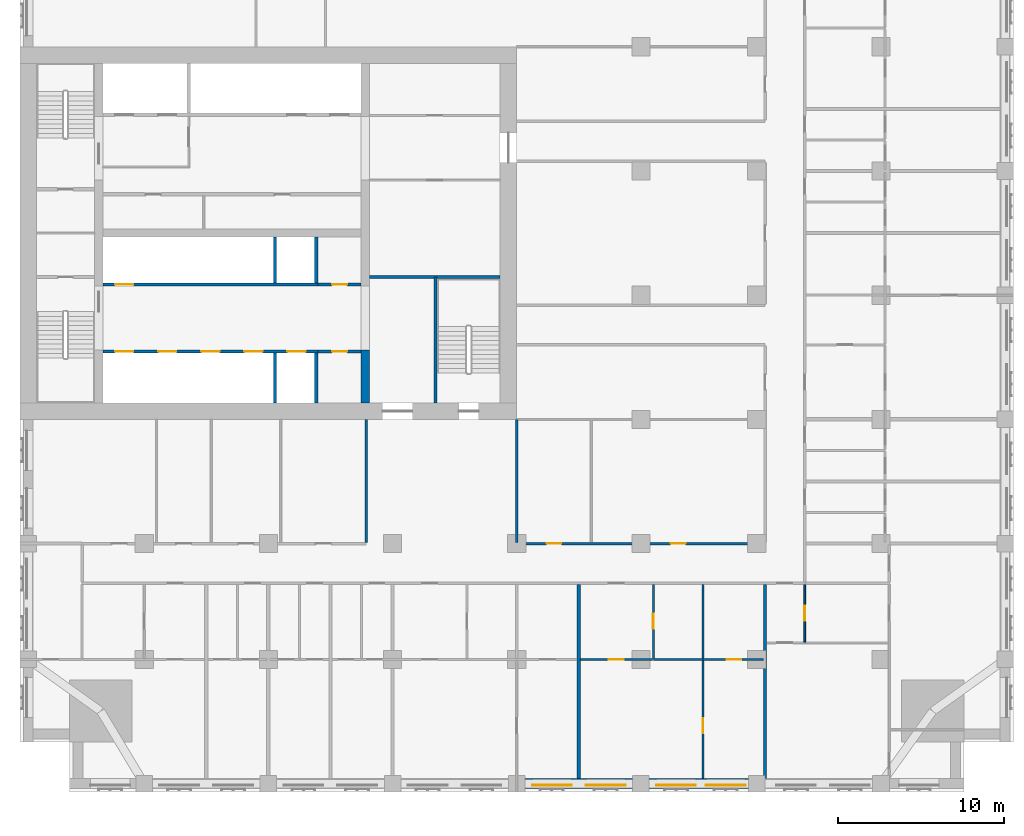
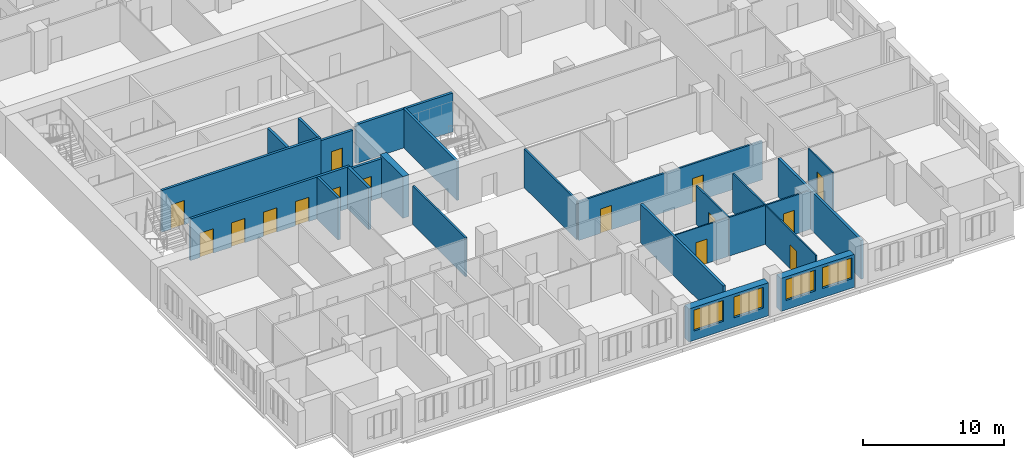
# One storey, part 6 of 15: 24 walls, 15 doors, 4 windows, 19 openings.
"""IFC4 building model written with IfcOpenShell, lengths in metres."""

from ifc_helpers import new_model, si_unit, direction, frame, frame_2d, origin, place, context, subcontext, project, spatial, rectangle, extrude, material, layer, layer_set, type_object, element, fill, save


model = new_model("IFC4")

# Units and contexts
model_context = context("Model", 3, precision=1e-05, world=origin(), true_north=direction((0.0, 1.0)))
body_context = subcontext(model_context, "Body", "Model", "MODEL_VIEW")
ifc_project = project(units=[si_unit("LENGTHUNIT", "METRE"), si_unit("AREAUNIT", "SQUARE_METRE"), si_unit("VOLUMEUNIT", "CUBIC_METRE"), si_unit("PLANEANGLEUNIT", "RADIAN"), si_unit("MASSUNIT", "GRAM", prefix="KILO")], contexts=[model_context])

# Site, building, storey
site_placement = place(None, origin())
site = spatial("IfcSite", under=ifc_project, at=site_placement, CompositionType="ELEMENT")
building_placement = place(site_placement, origin())
building = spatial("IfcBuilding", under=site, at=building_placement, Name="Tamorin Gate", CompositionType="ELEMENT")
storey_placement = place(building_placement, frame((0.0, 0.0, 97.10009765625)))
storey = spatial("IfcBuildingStorey", under=building, at=storey_placement, Name="L23", CompositionType="ELEMENT", Elevation=97.10009765625)

# Wall, openings, windows
ifc_material_1 = material(Name="Precast concrete C40/50", Category="concrete")
ifc_layer_1 = layer(ifc_material_1, 0.60009765625)
ifc_layer_set_1 = layer_set([ifc_layer_1], Name="Precast concrete C40/50")
wall_type_1 = type_object("IfcWallType", Name="Board-marked concrete facade panel 600", PredefinedType="SOLIDWALL", material=ifc_layer_set_1)
wall_1_placement = place(storey_placement, frame((60.5, 38.0, 0.0), z_axis=(0.0, 0.0, 1.0), x_axis=(1.0, 0.0, 0.0)))
wall_1 = element("IfcWall", 1, at=wall_1_placement, inside=storey, type_object=wall_type_1, Name="Facade panel", PredefinedType="SOLIDWALL", context=body_context, shape_type="SweptSolid", body=[
    extrude(rectangle(XDim=6.5, YDim=0.60009765625, at=frame_2d((3.25, 0.0))), origin(), (0.0, 0.0, 1.0), 2.849853515625),
])
opening_1_placement = place(wall_1_placement, frame((0.425048828125, 0.0, 0.800048828125)))
opening_1 = element("IfcOpeningElement", 2, at=opening_1_placement, cuts=wall_1, Name="Opening WN1", PredefinedType="OPENING", context=body_context, shape_type="SweptSolid", body=[
    extrude(rectangle(XDim=2.39990234375, YDim=1.800048828125, at=frame_2d((1.199951171875, 0.89990234375))), frame((0.0, 0.31005859375, 0.0), z_axis=(0.0, -1.0, 0.0), x_axis=(1.0, 0.0, 0.0)), (0.0, 0.0, 1.0), 0.6201171875),
])
opening_2_placement = place(wall_1_placement, frame((3.675048828125, 0.0, 0.800048828125)))
opening_2 = element("IfcOpeningElement", 3, at=opening_2_placement, cuts=wall_1, Name="Opening WN1", PredefinedType="OPENING", context=body_context, shape_type="SweptSolid", body=[
    extrude(rectangle(XDim=2.39990234375, YDim=1.800048828125, at=frame_2d((1.199951171875, 0.89990234375))), frame((0.0, 0.31005859375, 0.0), z_axis=(0.0, -1.0, 0.0), x_axis=(1.0, 0.0, 0.0)), (0.0, 0.0, 1.0), 0.6201171875),
])
ifc_material_2 = material(Name="Clear glass in aluminium frame", Category="aluminium")
window_type = type_object("IfcWindowType", Name="Deep-set window 2400x1800", PartitioningType="SINGLE_PANEL", PredefinedType="WINDOW", material=ifc_material_2)
window_1_placement = place(opening_1_placement, origin())
window_1 = element("IfcWindow", 4, at=window_1_placement, inside=storey, type_object=window_type, Name="Deep-set window", OverallHeight=1.800048828125, OverallWidth=2.39990234375, PartitioningType="SINGLE_PANEL", PredefinedType="WINDOW", context=body_context, shape_type="SweptSolid", body=[
    extrude(rectangle(XDim=2.39990234375, YDim=1.800048828125, at=frame_2d((1.199951171875, 0.89990234375))), frame((0.0, -0.070068359375, 0.0), z_axis=(0.0, -1.0, 0.0), x_axis=(1.0, 0.0, 0.0)), (0.0, 0.0, 1.0), 0.06005859375),
])
fill(opening_1, window_1)
window_2_placement = place(opening_2_placement, origin())
window_2 = element("IfcWindow", 5, at=window_2_placement, inside=storey, type_object=window_type, Name="Deep-set window", OverallHeight=1.800048828125, OverallWidth=2.39990234375, PartitioningType="SINGLE_PANEL", PredefinedType="WINDOW", context=body_context, shape_type="SweptSolid", body=[
    extrude(rectangle(XDim=2.39990234375, YDim=1.800048828125, at=frame_2d((1.199951171875, 0.89990234375))), frame((0.0, -0.070068359375, 0.0), z_axis=(0.0, -1.0, 0.0), x_axis=(1.0, 0.0, 0.0)), (0.0, 0.0, 1.0), 0.06005859375),
])
fill(opening_2, window_2)

wall_2_placement = place(storey_placement, frame((68.0, 38.0, 0.0), z_axis=(0.0, 0.0, 1.0), x_axis=(1.0, 0.0, 0.0)))
wall_2 = element("IfcWall", 6, at=wall_2_placement, inside=storey, type_object=wall_type_1, Name="Facade panel", PredefinedType="SOLIDWALL", context=body_context, shape_type="SweptSolid", body=[
    extrude(rectangle(XDim=6.0, YDim=0.60009765625, at=frame_2d((3.0, 0.0))), origin(), (0.0, 0.0, 1.0), 2.849853515625),
])
opening_3_placement = place(wall_2_placement, frame((0.425048828125, 0.0, 0.800048828125)))
opening_3 = element("IfcOpeningElement", 7, at=opening_3_placement, cuts=wall_2, Name="Opening WN1", PredefinedType="OPENING", context=body_context, shape_type="SweptSolid", body=[
    extrude(rectangle(XDim=2.39990234375, YDim=1.800048828125, at=frame_2d((1.199951171875, 0.89990234375))), frame((0.0, 0.31005859375, 0.0), z_axis=(0.0, -1.0, 0.0), x_axis=(1.0, 0.0, 0.0)), (0.0, 0.0, 1.0), 0.6201171875),
])
opening_4_placement = place(wall_2_placement, frame((3.425048828125, 0.0, 0.800048828125)))
opening_4 = element("IfcOpeningElement", 8, at=opening_4_placement, cuts=wall_2, Name="Opening WN1", PredefinedType="OPENING", context=body_context, shape_type="SweptSolid", body=[
    extrude(rectangle(XDim=2.39990234375, YDim=1.800048828125, at=frame_2d((1.199951171875, 0.89990234375))), frame((0.0, 0.31005859375, 0.0), z_axis=(0.0, -1.0, 0.0), x_axis=(1.0, 0.0, 0.0)), (0.0, 0.0, 1.0), 0.6201171875),
])
window_3_placement = place(opening_3_placement, origin())
window_3 = element("IfcWindow", 9, at=window_3_placement, inside=storey, type_object=window_type, Name="Deep-set window", OverallHeight=1.800048828125, OverallWidth=2.39990234375, PartitioningType="SINGLE_PANEL", PredefinedType="WINDOW", context=body_context, shape_type="SweptSolid", body=[
    extrude(rectangle(XDim=2.39990234375, YDim=1.800048828125, at=frame_2d((1.199951171875, 0.89990234375))), frame((0.0, -0.070068359375, 0.0), z_axis=(0.0, -1.0, 0.0), x_axis=(1.0, 0.0, 0.0)), (0.0, 0.0, 1.0), 0.06005859375),
])
fill(opening_3, window_3)
window_4_placement = place(opening_4_placement, origin())
window_4 = element("IfcWindow", 10, at=window_4_placement, inside=storey, type_object=window_type, Name="Deep-set window", OverallHeight=1.800048828125, OverallWidth=2.39990234375, PartitioningType="SINGLE_PANEL", PredefinedType="WINDOW", context=body_context, shape_type="SweptSolid", body=[
    extrude(rectangle(XDim=2.39990234375, YDim=1.800048828125, at=frame_2d((1.199951171875, 0.89990234375))), frame((0.0, -0.070068359375, 0.0), z_axis=(0.0, -1.0, 0.0), x_axis=(1.0, 0.0, 0.0)), (0.0, 0.0, 1.0), 0.06005859375),
])
fill(opening_4, window_4)

# Wall, openings, doors
ifc_material_3 = material(Name="Gypsum board partition")
ifc_layer_2 = layer(ifc_material_3, 0.14990234375)
ifc_layer_set_2 = layer_set([ifc_layer_2], Name="Corridor wall 150")
wall_type_2 = type_object("IfcWallType", Name="Corridor wall 150", PredefinedType="PARTITIONING", material=ifc_layer_set_2)
wall_3_placement = place(storey_placement, frame((60.0, 52.5, 0.0), z_axis=(0.0, 0.0, 1.0), x_axis=(1.0, 0.0, 0.0)))
wall_3 = element("IfcWall", 11, at=wall_3_placement, inside=storey, type_object=wall_type_2, Name="Corridor wall 150", PredefinedType="PARTITIONING", context=body_context, shape_type="SweptSolid", body=[
    extrude(rectangle(XDim=15.0, YDim=0.14990234375, at=frame_2d((7.5, 0.0))), origin(), (0.0, 0.0, 1.0), 3.349853515625),
])
opening_5_placement = place(wall_3_placement, frame((1.800048828125, 0.0, 0.0)))
opening_5 = element("IfcOpeningElement", 12, at=opening_5_placement, cuts=wall_3, Name="Opening DH6090", PredefinedType="OPENING", context=body_context, shape_type="SweptSolid", body=[
    extrude(rectangle(XDim=0.89990234375, YDim=2.10009765625, at=frame_2d((0.449951171875, 1.050048828125))), frame((0.0, 0.0849609375, 0.0), z_axis=(0.0, -1.0, 0.0), x_axis=(1.0, 0.0, 0.0)), (0.0, 0.0, 1.0), 0.169921875),
])
opening_6_placement = place(wall_3_placement, frame((9.300048828125, 0.0, 0.0)))
opening_6 = element("IfcOpeningElement", 13, at=opening_6_placement, cuts=wall_3, Name="Opening DH6091", PredefinedType="OPENING", context=body_context, shape_type="SweptSolid", body=[
    extrude(rectangle(XDim=0.89990234375, YDim=2.10009765625, at=frame_2d((0.449951171875, 1.050048828125))), frame((0.0, 0.0849609375, 0.0), z_axis=(0.0, -1.0, 0.0), x_axis=(1.0, 0.0, 0.0)), (0.0, 0.0, 1.0), 0.169921875),
])
ifc_material_4 = material(Name="Timber door leaf", Category="wood")
door_type_1 = type_object("IfcDoorType", Name="Door 900 x 2100 FD30S", OperationType="NOTDEFINED", PredefinedType="DOOR", material=ifc_material_4)
door_1_placement = place(opening_5_placement, origin())
door_1 = element("IfcDoor", 14, at=door_1_placement, inside=storey, type_object=door_type_1, Name="Door DH6090", OperationType="SINGLE_SWING_LEFT", OverallHeight=2.10009765625, OverallWidth=0.89990234375, PredefinedType="DOOR", context=body_context, shape_type="SweptSolid", body=[
    extrude(rectangle(XDim=0.89990234375, YDim=2.10009765625, at=frame_2d((0.449951171875, 1.050048828125))), frame((0.0, 0.02490234375, 0.0), z_axis=(0.0, -1.0, 0.0), x_axis=(1.0, 0.0, 0.0)), (0.0, 0.0, 1.0), 0.050048828125),
])
fill(opening_5, door_1)
door_2_placement = place(opening_6_placement, origin())
door_2 = element("IfcDoor", 15, at=door_2_placement, inside=storey, type_object=door_type_1, Name="Door DH6091", OperationType="SINGLE_SWING_LEFT", OverallHeight=2.10009765625, OverallWidth=0.89990234375, PredefinedType="DOOR", context=body_context, shape_type="SweptSolid", body=[
    extrude(rectangle(XDim=0.89990234375, YDim=2.10009765625, at=frame_2d((0.449951171875, 1.050048828125))), frame((0.0, 0.02490234375, 0.0), z_axis=(0.0, -1.0, 0.0), x_axis=(1.0, 0.0, 0.0)), (0.0, 0.0, 1.0), 0.050048828125),
])
fill(opening_6, door_2)

# Walls
ifc_layer_3 = layer(ifc_material_3, 0.199951171875)
ifc_layer_set_3 = layer_set([ifc_layer_3], Name="Demising wall 200")
wall_type_3 = type_object("IfcWallType", Name="Demising wall 200", PredefinedType="PARTITIONING", material=ifc_layer_set_3)
for number, where, z_axis, x_axis, name in (
    (16, (63.75, 38.31005859375, 0.0), (0.0, 0.0, 1.0), (0.0, 1.0, 0.0), "Demising wall 200"),
    (17, (75.0, 38.31005859375, 0.0), (0.0, 0.0, 1.0), (0.0, 1.0, 0.0), "Demising wall 200"),
):
    element("IfcWall", number, at=place(storey_placement, frame(where, z_axis=z_axis, x_axis=x_axis)), inside=storey, type_object=wall_type_3, Name=name, PredefinedType="PARTITIONING", context=body_context, shape_type="SweptSolid", body=[
        extrude(rectangle(XDim=11.71484375, YDim=0.199951171875, at=frame_2d((5.857421875, 0.0))), origin(), (0.0, 0.0, 1.0), 3.349853515625),
    ])

# Wall, openings, doors
ifc_material_5 = material(Name="Concrete C32/40", Category="concrete")
ifc_layer_4 = layer(ifc_material_5, 0.199951171875)
ifc_layer_set_4 = layer_set([ifc_layer_4], Name="Lift lobby face wall 200 EI 120")
wall_type_4 = type_object("IfcWallType", Name="Lift lobby face wall 200 EI 120", PredefinedType="SOLIDWALL", material=ifc_layer_set_4)
wall_4_placement = place(storey_placement, frame((35.0, 64.10009765625, 0.0), z_axis=(0.0, 0.0, 1.0), x_axis=(1.0, 0.0, 0.0)))
wall_4 = element("IfcWall", 18, at=wall_4_placement, inside=storey, type_object=wall_type_4, Name="Lift lobby face wall", PredefinedType="SOLIDWALL", context=body_context, shape_type="SweptSolid", body=[
    extrude(rectangle(XDim=13.0, YDim=0.199951171875, at=frame_2d((6.5, 0.0))), origin(), (0.0, 0.0, 1.0), 3.599853515625),
])
opening_7_placement = place(wall_4_placement, frame((0.75, 0.0, 0.0)))
opening_7 = element("IfcOpeningElement", 19, at=opening_7_placement, cuts=wall_4, Name="Opening LD1", PredefinedType="OPENING", context=body_context, shape_type="SweptSolid", body=[
    extrude(rectangle(XDim=1.10009765625, YDim=2.10009765625, at=frame_2d((0.550048828125, 1.050048828125))), frame((0.0, 0.10986328125, 0.0), z_axis=(0.0, -1.0, 0.0), x_axis=(1.0, 0.0, 0.0)), (0.0, 0.0, 1.0), 0.219970703125),
])
opening_8_placement = place(wall_4_placement, frame((3.35009765625, 0.0, 0.0)))
opening_8 = element("IfcOpeningElement", 20, at=opening_8_placement, cuts=wall_4, Name="Opening LD2", PredefinedType="OPENING", context=body_context, shape_type="SweptSolid", body=[
    extrude(rectangle(XDim=1.10009765625, YDim=2.10009765625, at=frame_2d((0.550048828125, 1.050048828125))), frame((0.0, 0.10986328125, 0.0), z_axis=(0.0, -1.0, 0.0), x_axis=(1.0, 0.0, 0.0)), (0.0, 0.0, 1.0), 0.219970703125),
])
opening_9_placement = place(wall_4_placement, frame((5.949951171875, 0.0, 0.0)))
opening_9 = element("IfcOpeningElement", 21, at=opening_9_placement, cuts=wall_4, Name="Opening LD3", PredefinedType="OPENING", context=body_context, shape_type="SweptSolid", body=[
    extrude(rectangle(XDim=1.10009765625, YDim=2.10009765625, at=frame_2d((0.550048828125, 1.050048828125))), frame((0.0, 0.10986328125, 0.0), z_axis=(0.0, -1.0, 0.0), x_axis=(1.0, 0.0, 0.0)), (0.0, 0.0, 1.0), 0.219970703125),
])
opening_10_placement = place(wall_4_placement, frame((8.550048828125, 0.0, 0.0)))
opening_10 = element("IfcOpeningElement", 22, at=opening_10_placement, cuts=wall_4, Name="Opening LD4", PredefinedType="OPENING", context=body_context, shape_type="SweptSolid", body=[
    extrude(rectangle(XDim=1.10009765625, YDim=2.10009765625, at=frame_2d((0.550048828125, 1.050048828125))), frame((0.0, 0.10986328125, 0.0), z_axis=(0.0, -1.0, 0.0), x_axis=(1.0, 0.0, 0.0)), (0.0, 0.0, 1.0), 0.219970703125),
])
opening_11_placement = place(wall_4_placement, frame((11.14990234375, 0.0, 0.0)))
opening_11 = element("IfcOpeningElement", 23, at=opening_11_placement, cuts=wall_4, Name="Opening LD5", PredefinedType="OPENING", context=body_context, shape_type="SweptSolid", body=[
    extrude(rectangle(XDim=1.10009765625, YDim=2.10009765625, at=frame_2d((0.550048828125, 1.050048828125))), frame((0.0, 0.10986328125, 0.0), z_axis=(0.0, -1.0, 0.0), x_axis=(1.0, 0.0, 0.0)), (0.0, 0.0, 1.0), 0.219970703125),
])
ifc_material_6 = material(Name="Stainless steel sliding door", Category="steel")
door_type_2 = type_object("IfcDoorType", Name="Lift landing door 1100 x 2100 E 90", OperationType="DOUBLE_DOOR_SLIDING", PredefinedType="DOOR", material=ifc_material_6)
door_3_placement = place(opening_7_placement, origin())
door_3 = element("IfcDoor", 24, at=door_3_placement, inside=storey, type_object=door_type_2, Name="LR1 landing door", OperationType="DOUBLE_DOOR_SLIDING", OverallHeight=2.10009765625, OverallWidth=1.10009765625, PredefinedType="DOOR", context=body_context, shape_type="SweptSolid", body=[
    extrude(rectangle(XDim=1.10009765625, YDim=2.10009765625, at=frame_2d((0.550048828125, 1.050048828125))), frame((0.0, 0.02490234375, 0.0), z_axis=(0.0, -1.0, 0.0), x_axis=(1.0, 0.0, 0.0)), (0.0, 0.0, 1.0), 0.050048828125),
])
fill(opening_7, door_3)
door_4_placement = place(opening_8_placement, origin())
door_4 = element("IfcDoor", 25, at=door_4_placement, inside=storey, type_object=door_type_2, Name="LR2 landing door", OperationType="DOUBLE_DOOR_SLIDING", OverallHeight=2.10009765625, OverallWidth=1.10009765625, PredefinedType="DOOR", context=body_context, shape_type="SweptSolid", body=[
    extrude(rectangle(XDim=1.10009765625, YDim=2.10009765625, at=frame_2d((0.550048828125, 1.050048828125))), frame((0.0, 0.02490234375, 0.0), z_axis=(0.0, -1.0, 0.0), x_axis=(1.0, 0.0, 0.0)), (0.0, 0.0, 1.0), 0.050048828125),
])
fill(opening_8, door_4)
door_5_placement = place(opening_9_placement, origin())
door_5 = element("IfcDoor", 26, at=door_5_placement, inside=storey, type_object=door_type_2, Name="LR3 landing door", OperationType="DOUBLE_DOOR_SLIDING", OverallHeight=2.10009765625, OverallWidth=1.10009765625, PredefinedType="DOOR", context=body_context, shape_type="SweptSolid", body=[
    extrude(rectangle(XDim=1.10009765625, YDim=2.10009765625, at=frame_2d((0.550048828125, 1.050048828125))), frame((0.0, 0.02490234375, 0.0), z_axis=(0.0, -1.0, 0.0), x_axis=(1.0, 0.0, 0.0)), (0.0, 0.0, 1.0), 0.050048828125),
])
fill(opening_9, door_5)
door_6_placement = place(opening_10_placement, origin())
door_6 = element("IfcDoor", 27, at=door_6_placement, inside=storey, type_object=door_type_2, Name="LR4 landing door", OperationType="DOUBLE_DOOR_SLIDING", OverallHeight=2.10009765625, OverallWidth=1.10009765625, PredefinedType="DOOR", context=body_context, shape_type="SweptSolid", body=[
    extrude(rectangle(XDim=1.10009765625, YDim=2.10009765625, at=frame_2d((0.550048828125, 1.050048828125))), frame((0.0, 0.02490234375, 0.0), z_axis=(0.0, -1.0, 0.0), x_axis=(1.0, 0.0, 0.0)), (0.0, 0.0, 1.0), 0.050048828125),
])
fill(opening_10, door_6)
door_7_placement = place(opening_11_placement, origin())
door_7 = element("IfcDoor", 28, at=door_7_placement, inside=storey, type_object=door_type_2, Name="LR5 landing door", OperationType="DOUBLE_DOOR_SLIDING", OverallHeight=2.10009765625, OverallWidth=1.10009765625, PredefinedType="DOOR", context=body_context, shape_type="SweptSolid", body=[
    extrude(rectangle(XDim=1.10009765625, YDim=2.10009765625, at=frame_2d((0.550048828125, 1.050048828125))), frame((0.0, 0.02490234375, 0.0), z_axis=(0.0, -1.0, 0.0), x_axis=(1.0, 0.0, 0.0)), (0.0, 0.0, 1.0), 0.050048828125),
])
fill(opening_11, door_7)

# Wall, opening, door
wall_5_placement = place(storey_placement, frame((35.0, 68.14990234375, 0.0), z_axis=(0.0, 0.0, 1.0), x_axis=(1.0, 0.0, 0.0)))
wall_5 = element("IfcWall", 29, at=wall_5_placement, inside=storey, type_object=wall_type_4, Name="Lift lobby face wall", PredefinedType="SOLIDWALL", context=body_context, shape_type="SweptSolid", body=[
    extrude(rectangle(XDim=13.0, YDim=0.199951171875, at=frame_2d((6.5, 0.0))), origin(), (0.0, 0.0, 1.0), 3.599853515625),
])
opening_12_placement = place(wall_5_placement, frame((0.75, 0.0, 0.0)))
opening_12 = element("IfcOpeningElement", 30, at=opening_12_placement, cuts=wall_5, Name="Opening LD6", PredefinedType="OPENING", context=body_context, shape_type="SweptSolid", body=[
    extrude(rectangle(XDim=1.10009765625, YDim=2.10009765625, at=frame_2d((0.550048828125, 1.050048828125))), frame((0.0, 0.10986328125, 0.0), z_axis=(0.0, -1.0, 0.0), x_axis=(1.0, 0.0, 0.0)), (0.0, 0.0, 1.0), 0.219970703125),
])
door_8_placement = place(opening_12_placement, origin())
door_8 = element("IfcDoor", 31, at=door_8_placement, inside=storey, type_object=door_type_2, Name="LR6 landing door", OperationType="DOUBLE_DOOR_SLIDING", OverallHeight=2.10009765625, OverallWidth=1.10009765625, PredefinedType="DOOR", context=body_context, shape_type="SweptSolid", body=[
    extrude(rectangle(XDim=1.10009765625, YDim=2.10009765625, at=frame_2d((0.550048828125, 1.050048828125))), frame((0.0, 0.02490234375, 0.0), z_axis=(0.0, -1.0, 0.0), x_axis=(1.0, 0.0, 0.0)), (0.0, 0.0, 1.0), 0.050048828125),
])
fill(opening_12, door_8)

# Walls
ifc_layer_5 = layer(ifc_material_5, 0.199951171875)
ifc_layer_set_5 = layer_set([ifc_layer_5], Name="Lift shaft wall 200 EI 120")
wall_type_5 = type_object("IfcWallType", Name="Lift shaft wall 200 EI 120", PredefinedType="SOLIDWALL", material=ifc_layer_set_5)
for number, where, z_axis, x_axis, name in (
    (32, (45.39990234375, 61.0, 0.0), (0.0, 0.0, 1.0), (0.0, 1.0, 0.0), "Lift shaft wall"),
    (33, (47.89990234375, 61.0, 0.0), (0.0, 0.0, 1.0), (0.0, 1.0, 0.0), "Lift shaft wall"),
):
    element("IfcWall", number, at=place(storey_placement, frame(where, z_axis=z_axis, x_axis=x_axis)), inside=storey, type_object=wall_type_5, Name=name, PredefinedType="SOLIDWALL", context=body_context, shape_type="SweptSolid", body=[
        extrude(rectangle(XDim=3.0, YDim=0.199951171875, at=frame_2d((1.5, 0.0))), origin(), (0.0, 0.0, 1.0), 3.599853515625),
    ])
for number, where, z_axis, x_axis, name in (
    (34, (45.39990234375, 68.25, 0.0), (0.0, 0.0, 1.0), (0.0, 1.0, 0.0), "Lift shaft wall"),
    (35, (47.89990234375, 68.25, 0.0), (0.0, 0.0, 1.0), (0.0, 1.0, 0.0), "Lift shaft wall"),
):
    element("IfcWall", number, at=place(storey_placement, frame(where, z_axis=z_axis, x_axis=x_axis)), inside=storey, type_object=wall_type_5, Name=name, PredefinedType="SOLIDWALL", context=body_context, shape_type="SweptSolid", body=[
        extrude(rectangle(XDim=2.75, YDim=0.199951171875, at=frame_2d((1.375, 0.0))), origin(), (0.0, 0.0, 1.0), 3.599853515625),
    ])
ifc_layer_6 = layer(ifc_material_3, 0.14990234375)
ifc_layer_set_6 = layer_set([ifc_layer_6], Name="Lobby wall 150")
wall_type_6 = type_object("IfcWallType", Name="Lobby wall 150", PredefinedType="PARTITIONING", material=ifc_layer_set_6)
for number, where, z_axis, x_axis, name in (
    (36, (50.89990234375, 52.574951171875, 0.0), (0.0, 0.0, 1.0), (0.0, 1.0, 0.0), "Lobby wall 150"),
    (37, (60.0, 52.574951171875, 0.0), (0.0, 0.0, 1.0), (0.0, 1.0, 0.0), "Lobby wall 150"),
):
    element("IfcWall", number, at=place(storey_placement, frame(where, z_axis=z_axis, x_axis=x_axis)), inside=storey, type_object=wall_type_6, Name=name, PredefinedType="PARTITIONING", context=body_context, shape_type="SweptSolid", body=[
        extrude(rectangle(XDim=7.425048828125, YDim=0.14990234375, at=frame_2d((3.71240234375, 0.0))), origin(), (0.0, 0.0, 1.0), 3.349853515625),
    ])
ifc_material_7 = material(Name="Concrete C80/95", Category="concrete")
ifc_layer_7 = layer(ifc_material_7, 0.5)
ifc_layer_set_7 = layer_set([ifc_layer_7], Name="RC core internal wall 500 C80/95")
wall_type_7 = type_object("IfcWallType", Name="RC core internal wall 500 C80/95", PredefinedType="SHEAR", material=ifc_layer_set_7)
wall_6_placement = place(storey_placement, frame((50.85009765625, 61.0, 0.0), z_axis=(0.0, 0.0, 1.0), x_axis=(0.0, 1.0, 0.0)))
element("IfcWall", 38, at=wall_6_placement, inside=storey, type_object=wall_type_7, Name="Core cross wall L23", PredefinedType="SHEAR", context=body_context, shape_type="SweptSolid", body=[
    extrude(rectangle(XDim=3.199951171875, YDim=0.5, at=frame_2d((1.60009765625, 0.0))), origin(), (0.0, 0.0, 1.0), 3.599853515625),
])

# Wall, opening, door
ifc_layer_8 = layer(ifc_material_3, 0.10009765625)
ifc_layer_set_8 = layer_set([ifc_layer_8], Name="Room partition 100")
wall_type_8 = type_object("IfcWallType", Name="Room partition 100", PredefinedType="PARTITIONING", material=ifc_layer_set_8)
wall_7_placement = place(storey_placement, frame((63.85009765625, 45.5, 0.0), z_axis=(0.0, 0.0, 1.0), x_axis=(1.0, 0.0, 0.0)))
wall_7 = element("IfcWall", 39, at=wall_7_placement, inside=storey, type_object=wall_type_8, Name="Room partition 100", PredefinedType="PARTITIONING", context=body_context, shape_type="SweptSolid", body=[
    extrude(rectangle(XDim=4.33740234375, YDim=0.10009765625, at=frame_2d((2.168701171875, 0.0))), origin(), (0.0, 0.0, 1.0), 3.349853515625),
])
opening_13_placement = place(wall_7_placement, frame((1.699951171875, 0.0, 0.0)))
opening_13 = element("IfcOpeningElement", 40, at=opening_13_placement, cuts=wall_7, Name="Opening DH6020", PredefinedType="OPENING", context=body_context, shape_type="SweptSolid", body=[
    extrude(rectangle(XDim=0.89990234375, YDim=2.10009765625, at=frame_2d((0.449951171875, 1.050048828125))), frame((0.0, 0.06005859375, 0.0), z_axis=(0.0, -1.0, 0.0), x_axis=(1.0, 0.0, 0.0)), (0.0, 0.0, 1.0), 0.1201171875),
])
door_type_3 = type_object("IfcDoorType", Name="Door 900 x 2100", OperationType="NOTDEFINED", PredefinedType="DOOR", material=ifc_material_4)
door_9_placement = place(opening_13_placement, origin())
door_9 = element("IfcDoor", 41, at=door_9_placement, inside=storey, type_object=door_type_3, Name="Door DH6020", OperationType="SINGLE_SWING_LEFT", OverallHeight=2.10009765625, OverallWidth=0.89990234375, PredefinedType="DOOR", context=body_context, shape_type="SweptSolid", body=[
    extrude(rectangle(XDim=0.89990234375, YDim=2.10009765625, at=frame_2d((0.449951171875, 1.050048828125))), frame((0.0, 0.02490234375, 0.0), z_axis=(0.0, -1.0, 0.0), x_axis=(1.0, 0.0, 0.0)), (0.0, 0.0, 1.0), 0.050048828125),
])
fill(opening_13, door_9)

wall_8_placement = place(storey_placement, frame((71.25, 38.31005859375, 0.0), z_axis=(0.0, 0.0, 1.0), x_axis=(0.0, 1.0, 0.0)))
wall_8 = element("IfcWall", 42, at=wall_8_placement, inside=storey, type_object=wall_type_8, Name="Room partition 100", PredefinedType="PARTITIONING", context=body_context, shape_type="SweptSolid", body=[
    extrude(rectangle(XDim=7.12744140625, YDim=0.10009765625, at=frame_2d((3.563720703125, 0.0))), origin(), (0.0, 0.0, 1.0), 3.349853515625),
])
opening_14_placement = place(wall_8_placement, frame((2.739990234375, 0.0, 0.0)))
opening_14 = element("IfcOpeningElement", 43, at=opening_14_placement, cuts=wall_8, Name="Opening DH6023", PredefinedType="OPENING", context=body_context, shape_type="SweptSolid", body=[
    extrude(rectangle(XDim=0.89990234375, YDim=2.10009765625, at=frame_2d((0.449951171875, 1.050048828125))), frame((0.0, 0.06005859375, 0.0), z_axis=(0.0, -1.0, 0.0), x_axis=(1.0, 0.0, 0.0)), (0.0, 0.0, 1.0), 0.1201171875),
])
door_10_placement = place(opening_14_placement, origin())
door_10 = element("IfcDoor", 44, at=door_10_placement, inside=storey, type_object=door_type_3, Name="Door DH6023", OperationType="SINGLE_SWING_LEFT", OverallHeight=2.10009765625, OverallWidth=0.89990234375, PredefinedType="DOOR", context=body_context, shape_type="SweptSolid", body=[
    extrude(rectangle(XDim=0.89990234375, YDim=2.10009765625, at=frame_2d((0.449951171875, 1.050048828125))), frame((0.0, 0.02490234375, 0.0), z_axis=(0.0, -1.0, 0.0), x_axis=(1.0, 0.0, 0.0)), (0.0, 0.0, 1.0), 0.050048828125),
])
fill(opening_14, door_10)

wall_9_placement = place(storey_placement, frame((77.39990234375, 46.550048828125, 0.0), z_axis=(0.0, 0.0, 1.0), x_axis=(0.0, 1.0, 0.0)))
wall_9 = element("IfcWall", 45, at=wall_9_placement, inside=storey, type_object=wall_type_8, Name="Room partition 100", PredefinedType="PARTITIONING", context=body_context, shape_type="SweptSolid", body=[
    extrude(rectangle(XDim=3.474853515625, YDim=0.10009765625, at=frame_2d((1.7373046875, 0.0))), origin(), (0.0, 0.0, 1.0), 3.349853515625),
])
opening_15_placement = place(wall_9_placement, frame((1.300048828125, 0.0, 0.0)))
opening_15 = element("IfcOpeningElement", 46, at=opening_15_placement, cuts=wall_9, Name="Opening DH6076", PredefinedType="OPENING", context=body_context, shape_type="SweptSolid", body=[
    extrude(rectangle(XDim=0.89990234375, YDim=2.10009765625, at=frame_2d((0.449951171875, 1.050048828125))), frame((0.0, 0.06005859375, 0.0), z_axis=(0.0, -1.0, 0.0), x_axis=(1.0, 0.0, 0.0)), (0.0, 0.0, 1.0), 0.1201171875),
])
door_11_placement = place(opening_15_placement, origin())
door_11 = element("IfcDoor", 47, at=door_11_placement, inside=storey, type_object=door_type_3, Name="Door DH6076", OperationType="SINGLE_SWING_RIGHT", OverallHeight=2.10009765625, OverallWidth=0.89990234375, PredefinedType="DOOR", context=body_context, shape_type="SweptSolid", body=[
    extrude(rectangle(XDim=0.89990234375, YDim=2.10009765625, at=frame_2d((0.449951171875, 1.050048828125))), frame((0.0, 0.02490234375, 0.0), z_axis=(0.0, -1.0, 0.0), x_axis=(1.0, 0.0, 0.0)), (0.0, 0.0, 1.0), 0.050048828125),
])
fill(opening_15, door_11)

ifc_layer_9 = layer(ifc_material_3, 0.199951171875)
ifc_layer_set_9 = layer_set([ifc_layer_9], Name="Service room face wall 200 EI 60")
wall_type_9 = type_object("IfcWallType", Name="Service room face wall 200 EI 60", PredefinedType="PARTITIONING", material=ifc_layer_set_9)
wall_10_placement = place(storey_placement, frame((48.0, 64.10009765625, 0.0), z_axis=(0.0, 0.0, 1.0), x_axis=(1.0, 0.0, 0.0)))
wall_10 = element("IfcWall", 48, at=wall_10_placement, inside=storey, type_object=wall_type_9, Name="Service room face wall", PredefinedType="PARTITIONING", context=body_context, shape_type="SweptSolid", body=[
    extrude(rectangle(XDim=2.60009765625, YDim=0.199951171875, at=frame_2d((1.300048828125, 0.0))), origin(), (0.0, 0.0, 1.0), 3.349853515625),
])
opening_16_placement = place(wall_10_placement, frame((0.85009765625, 0.0, 0.0)))
opening_16 = element("IfcOpeningElement", 49, at=opening_16_placement, cuts=wall_10, Name="Opening DK1", PredefinedType="OPENING", context=body_context, shape_type="SweptSolid", body=[
    extrude(rectangle(XDim=0.89990234375, YDim=2.10009765625, at=frame_2d((0.449951171875, 1.050048828125))), frame((0.0, 0.10986328125, 0.0), z_axis=(0.0, -1.0, 0.0), x_axis=(1.0, 0.0, 0.0)), (0.0, 0.0, 1.0), 0.219970703125),
])
ifc_material_8 = material(Name="Timber fire door", Category="wood")
door_type_4 = type_object("IfcDoorType", Name="Service room door 900 x 2100 EI 60", OperationType="SINGLE_SWING_LEFT", PredefinedType="DOOR", material=ifc_material_8)
door_12_placement = place(opening_16_placement, origin())
door_12 = element("IfcDoor", 50, at=door_12_placement, inside=storey, type_object=door_type_4, Name="Door Linen store", OperationType="SINGLE_SWING_LEFT", OverallHeight=2.10009765625, OverallWidth=0.89990234375, PredefinedType="DOOR", context=body_context, shape_type="SweptSolid", body=[
    extrude(rectangle(XDim=0.89990234375, YDim=2.10009765625, at=frame_2d((0.449951171875, 1.050048828125))), frame((0.0, 0.02490234375, 0.0), z_axis=(0.0, -1.0, 0.0), x_axis=(1.0, 0.0, 0.0)), (0.0, 0.0, 1.0), 0.050048828125),
])
fill(opening_16, door_12)

wall_11_placement = place(storey_placement, frame((48.0, 68.14990234375, 0.0), z_axis=(0.0, 0.0, 1.0), x_axis=(1.0, 0.0, 0.0)))
wall_11 = element("IfcWall", 51, at=wall_11_placement, inside=storey, type_object=wall_type_9, Name="Service room face wall", PredefinedType="PARTITIONING", context=body_context, shape_type="SweptSolid", body=[
    extrude(rectangle(XDim=2.60009765625, YDim=0.199951171875, at=frame_2d((1.300048828125, 0.0))), origin(), (0.0, 0.0, 1.0), 3.349853515625),
])
opening_17_placement = place(wall_11_placement, frame((0.85009765625, 0.0, 0.0)))
opening_17 = element("IfcOpeningElement", 52, at=opening_17_placement, cuts=wall_11, Name="Opening DK1", PredefinedType="OPENING", context=body_context, shape_type="SweptSolid", body=[
    extrude(rectangle(XDim=0.89990234375, YDim=2.10009765625, at=frame_2d((0.449951171875, 1.050048828125))), frame((0.0, 0.10986328125, 0.0), z_axis=(0.0, -1.0, 0.0), x_axis=(1.0, 0.0, 0.0)), (0.0, 0.0, 1.0), 0.219970703125),
])
door_13_placement = place(opening_17_placement, origin())
door_13 = element("IfcDoor", 53, at=door_13_placement, inside=storey, type_object=door_type_4, Name="Door Vending and ice room", OperationType="SINGLE_SWING_LEFT", OverallHeight=2.10009765625, OverallWidth=0.89990234375, PredefinedType="DOOR", context=body_context, shape_type="SweptSolid", body=[
    extrude(rectangle(XDim=0.89990234375, YDim=2.10009765625, at=frame_2d((0.449951171875, 1.050048828125))), frame((0.0, 0.02490234375, 0.0), z_axis=(0.0, -1.0, 0.0), x_axis=(1.0, 0.0, 0.0)), (0.0, 0.0, 1.0), 0.050048828125),
])
fill(opening_17, door_13)

# Walls
ifc_material_9 = material(Name="Concrete C40/50", Category="concrete")
ifc_layer_10 = layer(ifc_material_9, 0.199951171875)
ifc_layer_set_10 = layer_set([ifc_layer_10], Name="Stair enclosure wall 200 EI 120 C40/50")
wall_type_10 = type_object("IfcWallType", Name="Stair enclosure wall 200 EI 120 C40/50", PredefinedType="SOLIDWALL", material=ifc_layer_set_10)
wall_12_placement = place(storey_placement, frame((55.10009765625, 61.0, 0.0), z_axis=(0.0, 0.0, 1.0), x_axis=(0.0, 1.0, 0.0)))
element("IfcWall", 54, at=wall_12_placement, inside=storey, type_object=wall_type_10, Name="Stair enclosure wall", PredefinedType="SOLIDWALL", context=body_context, shape_type="SweptSolid", body=[
    extrude(rectangle(XDim=7.60009765625, YDim=0.199951171875, at=frame_2d((3.800048828125, 0.0))), origin(), (0.0, 0.0, 1.0), 3.349853515625),
])
wall_13_placement = place(storey_placement, frame((51.10009765625, 68.60009765625, 0.0), z_axis=(0.0, 0.0, 1.0), x_axis=(1.0, 0.0, 0.0)))
element("IfcWall", 55, at=wall_13_placement, inside=storey, type_object=wall_type_10, Name="Stair enclosure wall", PredefinedType="SOLIDWALL", context=body_context, shape_type="SweptSolid", body=[
    extrude(rectangle(XDim=7.89990234375, YDim=0.199951171875, at=frame_2d((3.949951171875, 0.0))), origin(), (0.0, 0.0, 1.0), 3.349853515625),
])

# Wall, opening, door
ifc_layer_11 = layer(ifc_material_3, 0.125)
ifc_layer_set_11 = layer_set([ifc_layer_11], Name="Wet wall 125")
wall_type_11 = type_object("IfcWallType", Name="Wet wall 125", PredefinedType="PARTITIONING", material=ifc_layer_set_11)
wall_14_placement = place(storey_placement, frame((68.25, 45.5, 0.0), z_axis=(0.0, 0.0, 1.0), x_axis=(1.0, 0.0, 0.0)))
wall_14 = element("IfcWall", 56, at=wall_14_placement, inside=storey, type_object=wall_type_11, Name="Wet wall 125", PredefinedType="PARTITIONING", context=body_context, shape_type="SweptSolid", body=[
    extrude(rectangle(XDim=6.64990234375, YDim=0.125, at=frame_2d((3.324951171875, 0.0))), origin(), (0.0, 0.0, 1.0), 3.349853515625),
])
opening_18_placement = place(wall_14_placement, frame((4.425048828125, 0.0, 0.0)))
opening_18 = element("IfcOpeningElement", 57, at=opening_18_placement, cuts=wall_14, Name="Opening DH6022", PredefinedType="OPENING", context=body_context, shape_type="SweptSolid", body=[
    extrude(rectangle(XDim=0.89990234375, YDim=2.10009765625, at=frame_2d((0.449951171875, 1.050048828125))), frame((0.0, 0.072509765625, 0.0), z_axis=(0.0, -1.0, 0.0), x_axis=(1.0, 0.0, 0.0)), (0.0, 0.0, 1.0), 0.14501953125),
])
door_14_placement = place(opening_18_placement, origin())
door_14 = element("IfcDoor", 58, at=door_14_placement, inside=storey, type_object=door_type_3, Name="Door DH6022", OperationType="SINGLE_SWING_LEFT", OverallHeight=2.10009765625, OverallWidth=0.89990234375, PredefinedType="DOOR", context=body_context, shape_type="SweptSolid", body=[
    extrude(rectangle(XDim=0.89990234375, YDim=2.10009765625, at=frame_2d((0.449951171875, 1.050048828125))), frame((0.0, 0.02490234375, 0.0), z_axis=(0.0, -1.0, 0.0), x_axis=(1.0, 0.0, 0.0)), (0.0, 0.0, 1.0), 0.050048828125),
])
fill(opening_18, door_14)

wall_15_placement = place(storey_placement, frame((68.25, 45.5625, 0.0), z_axis=(0.0, 0.0, 1.0), x_axis=(0.0, 1.0, 0.0)))
wall_15 = element("IfcWall", 59, at=wall_15_placement, inside=storey, type_object=wall_type_11, Name="Wet wall 125", PredefinedType="PARTITIONING", context=body_context, shape_type="SweptSolid", body=[
    extrude(rectangle(XDim=4.46240234375, YDim=0.125, at=frame_2d((2.231201171875, 0.0))), origin(), (0.0, 0.0, 1.0), 3.349853515625),
])
opening_19_placement = place(wall_15_placement, frame((1.78759765625, 0.0, 0.0)))
opening_19 = element("IfcOpeningElement", 60, at=opening_19_placement, cuts=wall_15, Name="Opening DH6021", PredefinedType="OPENING", context=body_context, shape_type="SweptSolid", body=[
    extrude(rectangle(XDim=0.89990234375, YDim=2.10009765625, at=frame_2d((0.449951171875, 1.050048828125))), frame((0.0, 0.072509765625, 0.0), z_axis=(0.0, -1.0, 0.0), x_axis=(1.0, 0.0, 0.0)), (0.0, 0.0, 1.0), 0.14501953125),
])
door_15_placement = place(opening_19_placement, origin())
door_15 = element("IfcDoor", 61, at=door_15_placement, inside=storey, type_object=door_type_3, Name="Door DH6021", OperationType="SINGLE_SWING_LEFT", OverallHeight=2.10009765625, OverallWidth=0.89990234375, PredefinedType="DOOR", context=body_context, shape_type="SweptSolid", body=[
    extrude(rectangle(XDim=0.89990234375, YDim=2.10009765625, at=frame_2d((0.449951171875, 1.050048828125))), frame((0.0, 0.02490234375, 0.0), z_axis=(0.0, -1.0, 0.0), x_axis=(1.0, 0.0, 0.0)), (0.0, 0.0, 1.0), 0.050048828125),
])
fill(opening_19, door_15)

# Wall
wall_16_placement = place(storey_placement, frame((71.25, 45.5625, 0.0), z_axis=(0.0, 0.0, 1.0), x_axis=(0.0, 1.0, 0.0)))
element("IfcWall", 62, at=wall_16_placement, inside=storey, type_object=wall_type_11, Name="Wet wall 125", PredefinedType="PARTITIONING", context=body_context, shape_type="SweptSolid", body=[
    extrude(rectangle(XDim=4.46240234375, YDim=0.125, at=frame_2d((2.231201171875, 0.0))), origin(), (0.0, 0.0, 1.0), 3.349853515625),
])

save(model, "model.ifc")
